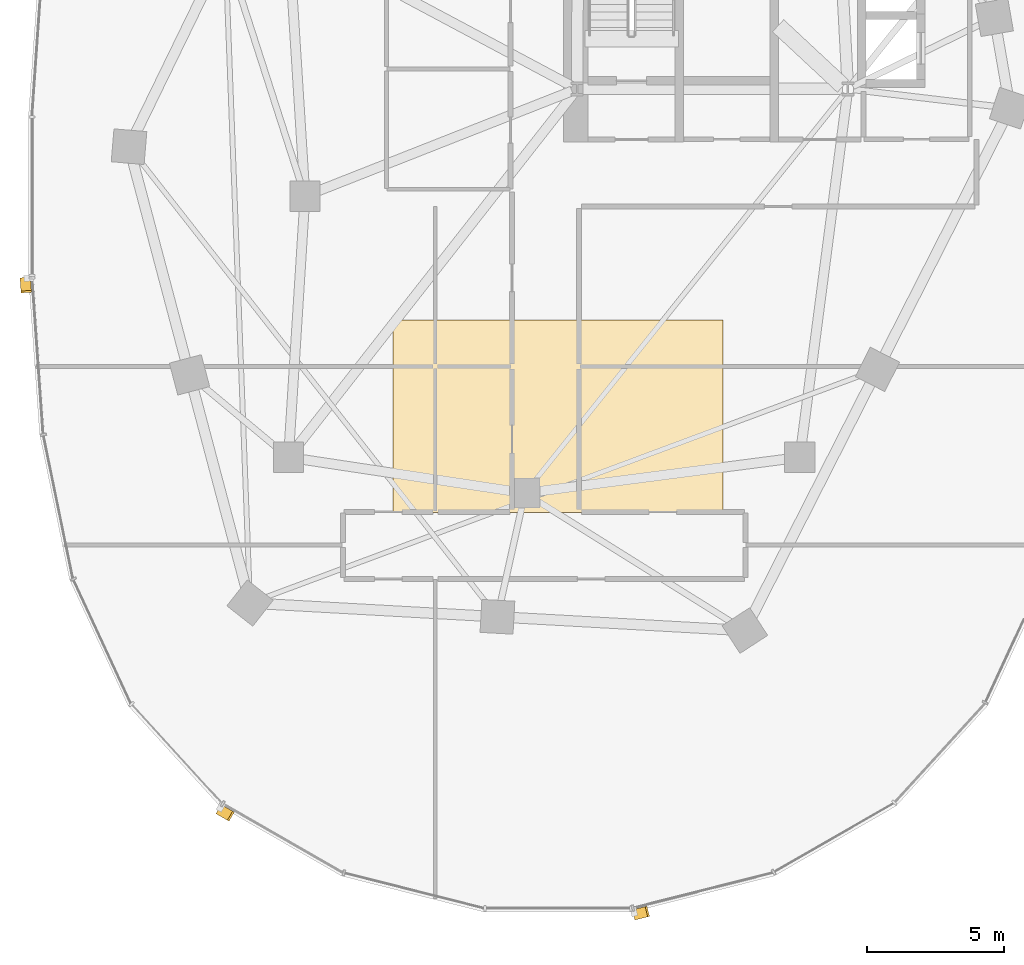
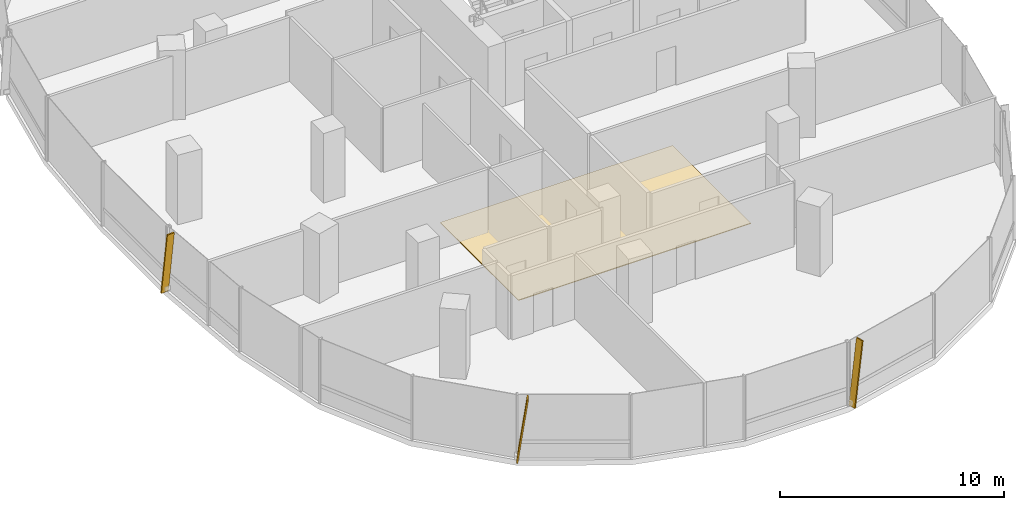
# One storey, part 18 of 22: 3 shading devices, 1 covering.
"""IFC4 building model written with IfcOpenShell, lengths in metres."""

from ifc_helpers import new_model, si_unit, direction, frame, origin, origin_2d, place, context, subcontext, project, spatial, polyline, rectangle, outline, extrude, material, layer, layer_set, material_profile, profile_set, type_object, element, save


model = new_model("IFC4")

# Units and contexts
model_context = context("Model", 3, precision=1e-05, world=origin(), true_north=direction((0.0, 1.0)))
body_context = subcontext(model_context, "Body", "Model", "MODEL_VIEW")
ifc_project = project(units=[si_unit("LENGTHUNIT", "METRE"), si_unit("AREAUNIT", "SQUARE_METRE"), si_unit("VOLUMEUNIT", "CUBIC_METRE"), si_unit("PLANEANGLEUNIT", "RADIAN"), si_unit("MASSUNIT", "GRAM", prefix="KILO"), si_unit("THERMODYNAMICTEMPERATUREUNIT", "KELVIN"), si_unit("POWERUNIT", "WATT")], contexts=[model_context])

# Site, building, storey
site_placement = place(None, origin())
site = spatial("IfcSite", under=ifc_project, at=site_placement, CompositionType="ELEMENT")
building_placement = place(site_placement, origin())
building = spatial("IfcBuilding", under=site, at=building_placement, Name="Cundina Bronze Exchange", CompositionType="ELEMENT")
storey_placement = place(building_placement, frame((0.0, 0.0, 35.39990234375)))
storey = spatial("IfcBuildingStorey", under=building, at=storey_placement, Name="L08", CompositionType="ELEMENT", Elevation=35.39990234375)

# Covering
ifc_material_1 = material(Name="Raised Access Steel-Cementitious Floor Panel 40mm", Category="steel")
ifc_layer = layer(ifc_material_1, 0.0400390625, Name="Raised Access Steel-Cementitious Floor Panel 40mm", Category="steel")
ifc_layer_set = layer_set([ifc_layer], Name="Raised Access Steel-Cementitious Floor Panel 40mm")
covering_type = type_object("IfcCoveringType", Name="COV-FLR-RAF40", PredefinedType="FLOORING", material=ifc_layer_set)
covering_placement = place(storey_placement, origin())
element("IfcCovering", 1, at=covering_placement, inside=storey, type_object=covering_type, Name="L08 W UFAD Raised Access Trading Floor", PredefinedType="FLOORING", context=body_context, shape_type="SweptSolid", body=[
    extrude(outline(polyline([(-38.0, -11.5), (-26.0, -11.5), (-26.0, -4.5), (-38.0, -4.5), (-38.0, -11.5)])), origin(), (0.0, 0.0, 1.0), 0.0400390625),
])

# Shading devices
ifc_material_2 = material(Name="Anodised Bronze Aluminium 6063-T6", Category="aluminium")
ifc_material_profile = material_profile(ifc_material_2, rectangle(XDim=0.070068359375, YDim=0.3798828125, at=origin_2d()), Name="FIN70X380", Category="aluminium")
ifc_profile_set = profile_set([ifc_material_profile], Name="Anodised Bronze Aluminium 6063-T6")
shading_device_type = type_object("IfcShadingDeviceType", Name="SHD-FIN-BRZ380", PredefinedType="USERDEFINED", material=ifc_profile_set)
for number, where, z_axis, x_axis, name in (
    (2, (-51.3740234375, -2.993896484375, 0.02001953125), (0.009645159174, -0.137059109714, 0.990515911709), (-0.06953288269, 0.988072340253, 0.137398066402), "L08 Diagonal Bronze Solar Fin 1"),
    (3, (-44.314208984375, -22.314208984375, 0.02001953125), (0.119166378275, -0.06842456559, 0.990513731915), (-0.85898178632, 0.493221799887, 0.137413779831), "L08 Diagonal Bronze Solar Fin 5"),
    (4, (-29.212646484375, -26.138427734375, 0.02001953125), (0.133214830938, 0.033688115694, 0.990514472221), (-0.960284642503, -0.242842181368, 0.137408443412), "L08 Diagonal Bronze Solar Fin 1"),
):
    element("IfcShadingDevice", number, at=place(storey_placement, frame(where, z_axis=z_axis, x_axis=x_axis)), inside=storey, type_object=shading_device_type, Name=name, ObjectType="FIN", PredefinedType="USERDEFINED", context=body_context, shape_type="SweptSolid", body=[
        extrude(rectangle(XDim=0.070068359375, YDim=0.3798828125, at=origin_2d()), origin(), (0.0, 0.0, 1.0), 3.4931640625),
    ])

save(model, "model.ifc")
